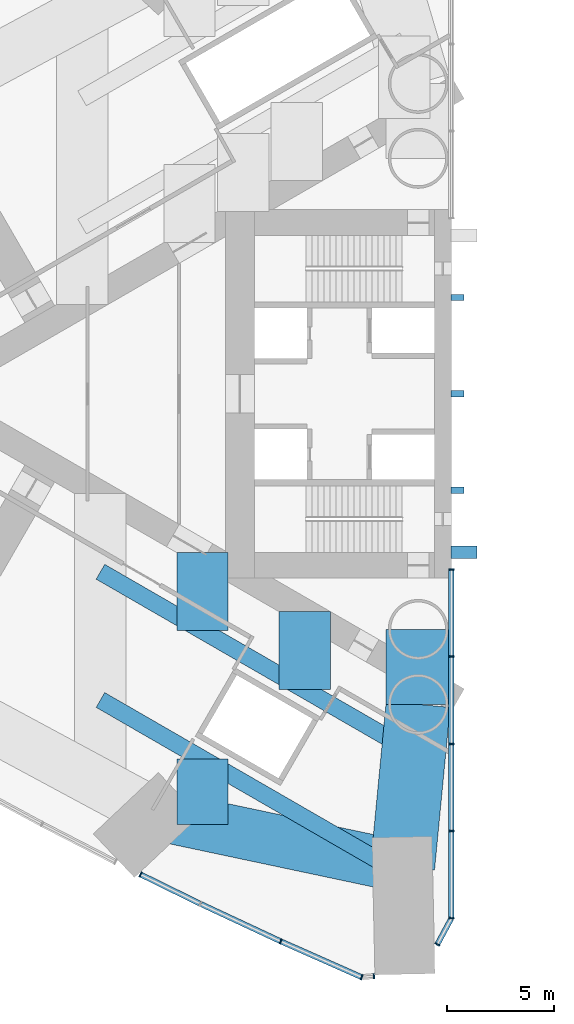
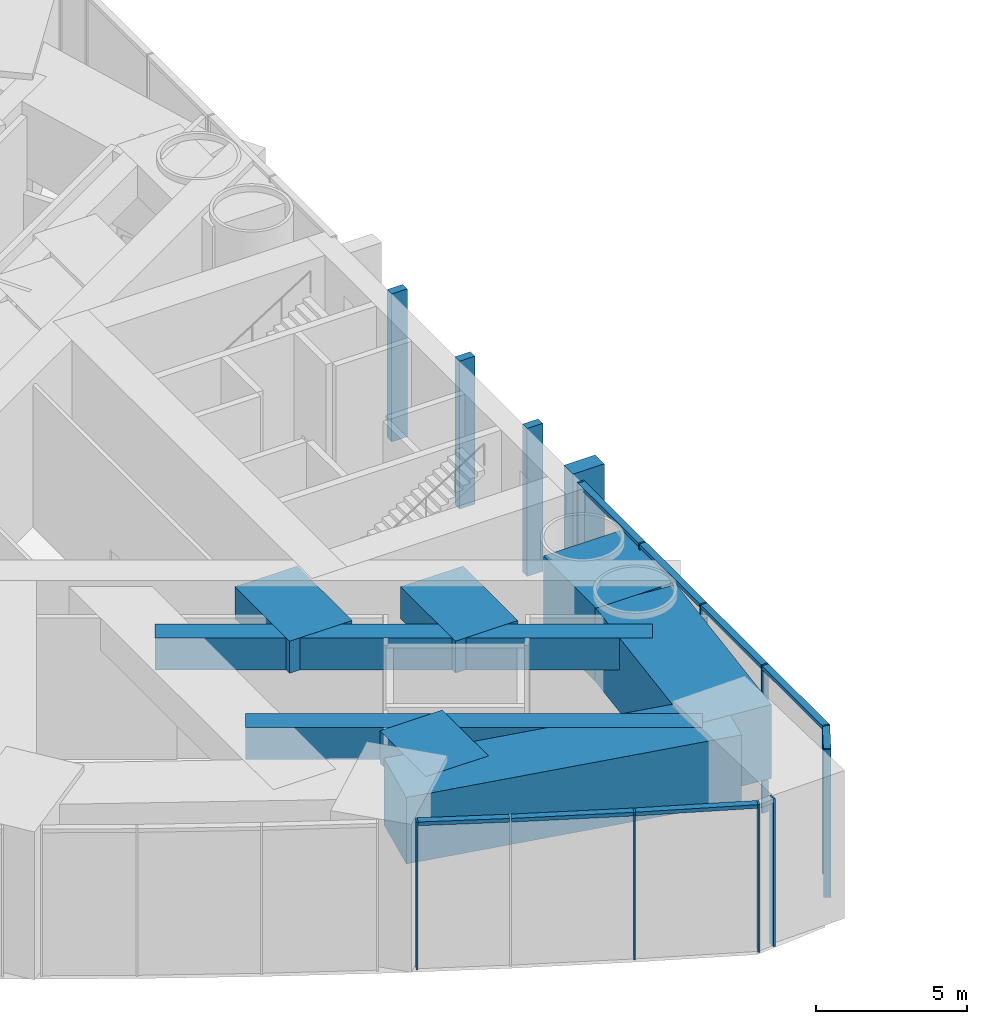
# One storey, part 4 of 18: 22 members, 8 beams, 2 elements without a shape of their own.
"""IFC4 building model written with IfcOpenShell, lengths in metres."""

from ifc_helpers import new_model, si_unit, direction, frame, origin, origin_2d, place, context, subcontext, project, spatial, rectangle, hollow_rectangle, extrude, material, material_profile, profile_set, type_object, element, aggregate, save


model = new_model("IFC4")

# Units and contexts
model_context = context("Model", 3, precision=1e-05, world=origin(), true_north=direction((0.0, 1.0)))
body_context = subcontext(model_context, "Body", "Model", "MODEL_VIEW")
ifc_project = project(units=[si_unit("LENGTHUNIT", "METRE"), si_unit("AREAUNIT", "SQUARE_METRE"), si_unit("VOLUMEUNIT", "CUBIC_METRE"), si_unit("PLANEANGLEUNIT", "RADIAN"), si_unit("MASSUNIT", "GRAM", prefix="KILO")], contexts=[model_context])

# Site, building, storey
site_placement = place(None, origin())
site = spatial("IfcSite", under=ifc_project, at=site_placement, CompositionType="ELEMENT")
building_placement = place(site_placement, origin())
building = spatial("IfcBuilding", under=site, at=building_placement, Name="Lancet Gate Hotel", CompositionType="ELEMENT")
storey_placement = place(building_placement, frame((0.0, 0.0, 81.0)))
storey = spatial("IfcBuildingStorey", under=building, at=storey_placement, Name="L21", CompositionType="ELEMENT", Elevation=81.0)

# Curtain wall, members
ifc_material_1 = material(Name="Aluminium curtain wall", Category="aluminium")
curtain_wall_type = type_object("IfcCurtainWallType", Name="Refuge storey louvred curtain wall", PredefinedType="USERDEFINED", material=ifc_material_1)
curtain_wall_1_placement = place(storey_placement, origin())
curtain_wall_1 = element("IfcCurtainWall", 1, at=curtain_wall_1_placement, inside=storey, type_object=curtain_wall_type, Name="T1 L21 curtain wall 9", ObjectType="LANTERN GLAZING", PredefinedType="USERDEFINED")
ifc_material_2 = material(Name="Aluminium mullion", Category="aluminium")
ifc_material_profile_1 = material_profile(ifc_material_2, rectangle(XDim=0.06494140625, YDim=0.25, at=origin_2d()), Name="MULLION 65x250")
ifc_profile_set_1 = profile_set([ifc_material_profile_1], Name="Aluminium mullion")
member_type_1 = type_object("IfcMemberType", Name="Aluminium mullion 65x250", PredefinedType="MULLION", material=ifc_profile_set_1)
member_1_placement = place(storey_placement, frame((-42.017822265625, -22.44580078125, 0.0), z_axis=(0.0, 0.0, 1.0), x_axis=(0.897653295642, -0.440702349463, 0.0)))
member_1 = element("IfcMember", 2, at=member_1_placement, type_object=member_type_1, Name="T1 L21 curtain wall 9 mullion 1", PredefinedType="MULLION", context=body_context, shape_type="SweptSolid", body=[
    extrude(rectangle(XDim=0.06494140625, YDim=0.25, at=origin_2d()), origin(), (0.0, 0.0, 1.0), 6.0),
])
member_2_placement = place(storey_placement, frame((-35.473876953125, -25.568115234375, 0.0), z_axis=(0.0, 0.0, 1.0), x_axis=(0.910219680212, -0.414125746308, 0.0)))
member_2 = element("IfcMember", 3, at=member_2_placement, type_object=member_type_1, Name="T1 L21 curtain wall 9 mullion 3", PredefinedType="MULLION", context=body_context, shape_type="SweptSolid", body=[
    extrude(rectangle(XDim=0.06494140625, YDim=0.25, at=origin_2d()), origin(), (0.0, 0.0, 1.0), 6.0),
])
member_3_placement = place(storey_placement, frame((-31.688720703125, -27.24560546875, 0.0), z_axis=(0.0, 0.0, 1.0), x_axis=(0.936669468789, -0.350214657374, 0.0)))
member_3 = element("IfcMember", 4, at=member_3_placement, type_object=member_type_1, Name="T1 L21 curtain wall 9 mullion 4", PredefinedType="MULLION", context=body_context, shape_type="SweptSolid", body=[
    extrude(rectangle(XDim=0.06494140625, YDim=0.25, at=origin_2d()), origin(), (0.0, 0.0, 1.0), 6.0),
])
member_4_placement = place(storey_placement, frame((-31.119873046875, -27.196044921875, 0.0), z_axis=(0.0, 0.0, 1.0), x_axis=(0.99620380374, 0.087051602022, 0.0)))
member_4 = element("IfcMember", 5, at=member_4_placement, type_object=member_type_1, Name="T1 L21 curtain wall 9 mullion 5", PredefinedType="MULLION", context=body_context, shape_type="SweptSolid", body=[
    extrude(rectangle(XDim=0.06494140625, YDim=0.25, at=origin_2d()), origin(), (0.0, 0.0, 1.0), 6.0),
])

curtain_wall_2_placement = place(storey_placement, origin())
curtain_wall_2 = element("IfcCurtainWall", 6, at=curtain_wall_2_placement, inside=storey, type_object=curtain_wall_type, Name="T1 L21 curtain wall 10", ObjectType="LANTERN GLAZING", PredefinedType="USERDEFINED")
member_5_placement = place(storey_placement, frame((-28.157958984375, -25.71142578125, 0.0), z_axis=(0.0, 0.0, 1.0), x_axis=(0.474631040972, 0.880184852714, 0.0)))
member_5 = element("IfcMember", 7, at=member_5_placement, type_object=member_type_1, Name="T1 L21 curtain wall 10 mullion 1", PredefinedType="MULLION", context=body_context, shape_type="SweptSolid", body=[
    extrude(rectangle(XDim=0.06494140625, YDim=0.25, at=origin_2d()), origin(), (0.0, 0.0, 1.0), 6.0),
])
member_6_placement = place(storey_placement, frame((-27.5, -24.4912109375, 0.0), z_axis=(0.0, 0.0, 1.0), x_axis=(0.123363681604, 0.992361527903, 0.0)))
member_6 = element("IfcMember", 8, at=member_6_placement, type_object=member_type_1, Name="T1 L21 curtain wall 10 mullion 2", PredefinedType="MULLION", context=body_context, shape_type="SweptSolid", body=[
    extrude(rectangle(XDim=0.06494140625, YDim=0.25, at=origin_2d()), origin(), (0.0, 0.0, 1.0), 6.0),
])
member_7_placement = place(storey_placement, frame((-27.5, -20.41845703125, 0.0), z_axis=(0.0, 0.0, 1.0), x_axis=(0.0, 1.0, 0.0)))
member_7 = element("IfcMember", 9, at=member_7_placement, type_object=member_type_1, Name="T1 L21 curtain wall 10 mullion 3", PredefinedType="MULLION", context=body_context, shape_type="SweptSolid", body=[
    extrude(rectangle(XDim=0.06494140625, YDim=0.25, at=origin_2d()), origin(), (0.0, 0.0, 1.0), 6.0),
])
member_8_placement = place(storey_placement, frame((-27.5, -16.345703125, 0.0), z_axis=(0.0, 0.0, 1.0), x_axis=(0.0, 1.0, 0.0)))
member_8 = element("IfcMember", 10, at=member_8_placement, type_object=member_type_1, Name="T1 L21 curtain wall 10 mullion 4", PredefinedType="MULLION", context=body_context, shape_type="SweptSolid", body=[
    extrude(rectangle(XDim=0.06494140625, YDim=0.25, at=origin_2d()), origin(), (0.0, 0.0, 1.0), 6.0),
])
member_9_placement = place(storey_placement, frame((-27.5, -12.272705078125, 0.0), z_axis=(0.0, 0.0, 1.0), x_axis=(0.0, 1.0, 0.0)))
member_9 = element("IfcMember", 11, at=member_9_placement, type_object=member_type_1, Name="T1 L21 curtain wall 10 mullion 5", PredefinedType="MULLION", context=body_context, shape_type="SweptSolid", body=[
    extrude(rectangle(XDim=0.06494140625, YDim=0.25, at=origin_2d()), origin(), (0.0, 0.0, 1.0), 6.0),
])
member_10_placement = place(storey_placement, frame((-27.5, -8.199951171875, 0.0), z_axis=(0.0, 0.0, 1.0), x_axis=(0.0, 1.0, 0.0)))
member_10 = element("IfcMember", 12, at=member_10_placement, type_object=member_type_1, Name="T1 L21 curtain wall 10 mullion 6", PredefinedType="MULLION", context=body_context, shape_type="SweptSolid", body=[
    extrude(rectangle(XDim=0.06494140625, YDim=0.25, at=origin_2d()), origin(), (0.0, 0.0, 1.0), 6.0),
])

# Member
ifc_material_3 = material(Name="Aluminium transom", Category="aluminium")
ifc_material_profile_2 = material_profile(ifc_material_3, rectangle(XDim=0.25, YDim=0.14990234375, at=origin_2d()), Name="TRANSOM 250x150")
ifc_profile_set_2 = profile_set([ifc_material_profile_2], Name="Aluminium transom")
member_type_2 = type_object("IfcMemberType", Name="Aluminium transom 250x150", PredefinedType="USERDEFINED", material=ifc_profile_set_2)
member_11_placement = place(storey_placement, frame((-41.988525390625, -22.4599609375, 5.925048828125), z_axis=(0.897642241147, -0.440724865317, 0.0), x_axis=(0.440724865317, 0.897642241147, 0.0)))
member_11 = element("IfcMember", 13, at=member_11_placement, type_object=member_type_2, Name="T1 L21 curtain wall 9 transom 1", ObjectType="TRANSOM", PredefinedType="USERDEFINED", context=body_context, shape_type="SweptSolid", body=[
    extrude(rectangle(XDim=0.25, YDim=0.14990234375, at=origin_2d()), origin(), (0.0, 0.0, 1.0), 3.045654296875),
])

member_12_placement = place(storey_placement, frame((-39.196044921875, -23.830322265625, 5.925048828125), z_axis=(0.906109667261, -0.423042871228, 0.0), x_axis=(0.423042871228, 0.906109667261, 0.0)))
member_12 = element("IfcMember", 14, at=member_12_placement, type_object=member_type_2, Name="T1 L21 curtain wall 9 transom 2", ObjectType="TRANSOM", PredefinedType="USERDEFINED", context=body_context, shape_type="SweptSolid", body=[
    extrude(rectangle(XDim=0.25, YDim=0.14990234375, at=origin_2d()), origin(), (0.0, 0.0, 1.0), 4.075439453125),
])

member_13_placement = place(storey_placement, frame((-35.444091796875, -25.581298828125, 5.925048828125), z_axis=(0.914248281954, -0.405154389022, 0.0), x_axis=(0.405154389022, 0.914248281954, 0.0)))
member_13 = element("IfcMember", 15, at=member_13_placement, type_object=member_type_2, Name="T1 L21 curtain wall 9 transom 3", ObjectType="TRANSOM", PredefinedType="USERDEFINED", context=body_context, shape_type="SweptSolid", body=[
    extrude(rectangle(XDim=0.25, YDim=0.14990234375, at=origin_2d()), origin(), (0.0, 0.0, 1.0), 4.0751953125),
])

aggregate(curtain_wall_1, [member_1, member_2, member_3, member_4, member_11, member_12, member_13])

member_14_placement = place(storey_placement, frame((-28.142578125, -25.682861328125, 5.925048828125), z_axis=(0.474639595966, 0.880180239463, 0.0), x_axis=(-0.880180239463, 0.474639595966, 0.0)))
member_14 = element("IfcMember", 16, at=member_14_placement, type_object=member_type_2, Name="T1 L21 curtain wall 10 transom 1", ObjectType="TRANSOM", PredefinedType="USERDEFINED", context=body_context, shape_type="SweptSolid", body=[
    extrude(rectangle(XDim=0.25, YDim=0.14990234375, at=origin_2d()), origin(), (0.0, 0.0, 1.0), 1.321533203125),
])

member_15_placement = place(storey_placement, frame((-27.5, -24.458740234375, 5.925048828125), z_axis=(0.0, 1.0, 0.0), x_axis=(-1.0, 0.0, 0.0)))
member_15 = element("IfcMember", 17, at=member_15_placement, type_object=member_type_2, Name="T1 L21 curtain wall 10 transom 2", ObjectType="TRANSOM", PredefinedType="USERDEFINED", context=body_context, shape_type="SweptSolid", body=[
    extrude(rectangle(XDim=0.25, YDim=0.14990234375, at=origin_2d()), origin(), (0.0, 0.0, 1.0), 4.0078125),
])

member_16_placement = place(storey_placement, frame((-27.5, -20.385986328125, 5.925048828125), z_axis=(0.0, 1.0, 0.0), x_axis=(-1.0, 0.0, 0.0)))
member_16 = element("IfcMember", 18, at=member_16_placement, type_object=member_type_2, Name="T1 L21 curtain wall 10 transom 3", ObjectType="TRANSOM", PredefinedType="USERDEFINED", context=body_context, shape_type="SweptSolid", body=[
    extrude(rectangle(XDim=0.25, YDim=0.14990234375, at=origin_2d()), origin(), (0.0, 0.0, 1.0), 4.0078125),
])

member_17_placement = place(storey_placement, frame((-27.5, -16.31298828125, 5.925048828125), z_axis=(0.0, 1.0, 0.0), x_axis=(-1.0, 0.0, 0.0)))
member_17 = element("IfcMember", 19, at=member_17_placement, type_object=member_type_2, Name="T1 L21 curtain wall 10 transom 4", ObjectType="TRANSOM", PredefinedType="USERDEFINED", context=body_context, shape_type="SweptSolid", body=[
    extrude(rectangle(XDim=0.25, YDim=0.14990234375, at=origin_2d()), origin(), (0.0, 0.0, 1.0), 4.0078125),
])

member_18_placement = place(storey_placement, frame((-27.5, -12.240234375, 5.925048828125), z_axis=(0.0, 1.0, 0.0), x_axis=(-1.0, 0.0, 0.0)))
member_18 = element("IfcMember", 20, at=member_18_placement, type_object=member_type_2, Name="T1 L21 curtain wall 10 transom 5", ObjectType="TRANSOM", PredefinedType="USERDEFINED", context=body_context, shape_type="SweptSolid", body=[
    extrude(rectangle(XDim=0.25, YDim=0.14990234375, at=origin_2d()), origin(), (0.0, 0.0, 1.0), 4.0078125),
])

aggregate(curtain_wall_2, [member_5, member_6, member_7, member_8, member_9, member_10, member_14, member_15, member_16, member_17, member_18])

# Members
ifc_material_4 = material(Name="Concrete C60/75", Category="concrete")
ifc_material_profile_3 = material_profile(ifc_material_4, rectangle(XDim=0.60009765625, YDim=1.199951171875, at=origin_2d()), Name="FIN 600x1200")
ifc_profile_set_3 = profile_set([ifc_material_profile_3], Name="Concrete C60/75")
member_type_3 = type_object("IfcMemberType", Name="Exposed concrete buttress pilaster 600x1200", PredefinedType="USERDEFINED", material=ifc_profile_set_3)
member_19_placement = place(storey_placement, frame((-26.909912109375, -7.39990234375, 0.0), z_axis=(0.0, 0.0, 1.0), x_axis=(0.0, 1.0, 0.0)))
element("IfcMember", 21, at=member_19_placement, inside=storey, type_object=member_type_3, Name="T1 buttress pilaster N L21", ObjectType="FIN", PredefinedType="USERDEFINED", context=body_context, shape_type="SweptSolid", body=[
    extrude(rectangle(XDim=0.60009765625, YDim=1.199951171875, at=origin_2d()), origin(), (0.0, 0.0, 1.0), 6.0),
])
ifc_material_5 = material(Name="Concrete C60/75", Category="concrete")
ifc_material_profile_4 = material_profile(ifc_material_5, rectangle(XDim=0.300048828125, YDim=0.60009765625, at=origin_2d()), Name="FIN 300x600")
ifc_profile_set_4 = profile_set([ifc_material_profile_4], Name="Concrete C60/75")
member_type_4 = type_object("IfcMemberType", Name="Exposed concrete rib 300x600", PredefinedType="USERDEFINED", material=ifc_profile_set_4)
for number, where, z_axis, x_axis, name in (
    (22, (-27.2099609375, 4.5, 0.0), (0.0, 0.0, 1.0), (0.0, 1.0, 0.0), "T1 core rib 1 L21"),
    (23, (-27.2099609375, 0.0, 0.0), (0.0, 0.0, 1.0), (0.0, 1.0, 0.0), "T1 core rib 2 L21"),
    (24, (-27.2099609375, -4.5, 0.0), (0.0, 0.0, 1.0), (0.0, 1.0, 0.0), "T1 core rib 3 L21"),
):
    element("IfcMember", number, at=place(storey_placement, frame(where, z_axis=z_axis, x_axis=x_axis)), inside=storey, type_object=member_type_4, Name=name, ObjectType="FIN", PredefinedType="USERDEFINED", context=body_context, shape_type="SweptSolid", body=[
        extrude(rectangle(XDim=0.300048828125, YDim=0.60009765625, at=origin_2d()), origin(), (0.0, 0.0, 1.0), 6.0),
    ])

# Beams
ifc_material_6 = material(Name="Concrete C50/60", Category="concrete")
ifc_material_profile_5 = material_profile(ifc_material_6, rectangle(XDim=2.39990234375, YDim=1.300048828125, at=origin_2d()), Name="RC 2400x1300")
ifc_profile_set_5 = profile_set([ifc_material_profile_5], Name="Concrete C50/60")
beam_type_1 = type_object("IfcBeamType", Name="Floor beam RC 2400x1300", PredefinedType="BEAM", material=ifc_profile_set_5)
beam_1_placement = place(storey_placement, frame((-34.353515625, -10.169921875, 5.10009765625), z_axis=(0.0, -1.0, 0.0), x_axis=(1.0, 0.0, 0.0)))
element("IfcBeam", 25, at=beam_1_placement, inside=storey, type_object=beam_type_1, Name="T1 floor beam F03NA L21", PredefinedType="BEAM", context=body_context, shape_type="SweptSolid", body=[
    extrude(rectangle(XDim=2.39990234375, YDim=1.300048828125, at=origin_2d()), origin(), (0.0, 0.0, 1.0), 3.645751953125),
])
beam_2_placement = place(storey_placement, frame((-39.122314453125, -7.41650390625, 5.10009765625), z_axis=(0.0, -1.0, 0.0), x_axis=(1.0, 0.0, 0.0)))
element("IfcBeam", 26, at=beam_2_placement, inside=storey, type_object=beam_type_1, Name="T1 floor beam F06NA L21", PredefinedType="BEAM", context=body_context, shape_type="SweptSolid", body=[
    extrude(rectangle(XDim=2.39990234375, YDim=1.300048828125, at=origin_2d()), origin(), (0.0, 0.0, 1.0), 3.64599609375),
])
beam_3_placement = place(storey_placement, frame((-39.122314453125, -17.0498046875, 5.10009765625), z_axis=(0.0, -1.0, 0.0), x_axis=(1.0, 0.0, 0.0)))
element("IfcBeam", 27, at=beam_3_placement, inside=storey, type_object=beam_type_1, Name="T1 floor beam F06NB L21", PredefinedType="BEAM", context=body_context, shape_type="SweptSolid", body=[
    extrude(rectangle(XDim=2.39990234375, YDim=1.300048828125, at=origin_2d()), origin(), (0.0, 0.0, 1.0), 3.065673828125),
])
ifc_material_7 = material(Name="Concrete C50/60", Category="concrete")
ifc_material_profile_6 = material_profile(ifc_material_7, rectangle(XDim=2.39990234375, YDim=2.699951171875, at=origin_2d()), Name="RC 2400x2700")
ifc_profile_set_6 = profile_set([ifc_material_profile_6], Name="Concrete C50/60")
beam_type_2 = type_object("IfcBeamType", Name="Tie ring beam RC 2400x2700", PredefinedType="SPANDREL", material=ifc_profile_set_6)
beam_4_placement = place(storey_placement, frame((-41.244873046875, -19.665771484375, 4.39990234375), z_axis=(0.978282156247, -0.207277646573, 0.0), x_axis=(0.207277646573, 0.978282156247, 0.0)))
element("IfcBeam", 28, at=beam_4_placement, inside=storey, type_object=beam_type_2, Name="T1 tie ring beam RG3 L21", PredefinedType="SPANDREL", context=body_context, shape_type="SweptSolid", body=[
    extrude(rectangle(XDim=2.39990234375, YDim=2.699951171875, at=origin_2d()), origin(), (0.0, 0.0, 1.0), 11.71826171875),
])
ifc_material_8 = material(Name="Concrete C50/60", Category="concrete")
ifc_material_profile_7 = material_profile(ifc_material_8, rectangle(XDim=3.0, YDim=3.0, at=origin_2d()), Name="RC 3000x3000")
ifc_profile_set_7 = profile_set([ifc_material_profile_7], Name="Concrete C50/60")
beam_type_3 = type_object("IfcBeamType", Name="Tie ring beam RC 3000x3000", PredefinedType="SPANDREL", material=ifc_profile_set_7)
beam_5_placement = place(storey_placement, frame((-29.050048828125, -11.0, 4.25), z_axis=(0.0, -1.0, 0.0), x_axis=(1.0, 0.0, 0.0)))
element("IfcBeam", 29, at=beam_5_placement, inside=storey, type_object=beam_type_3, Name="T1 tie ring beam RG4 L21", PredefinedType="SPANDREL", context=body_context, shape_type="SweptSolid", body=[
    extrude(rectangle(XDim=3.0, YDim=3.0, at=origin_2d()), origin(), (0.0, 0.0, 1.0), 3.5),
])
beam_6_placement = place(storey_placement, frame((-29.050048828125, -14.5, 4.25), z_axis=(-0.095802643786, -0.995400348324, 0.0), x_axis=(0.995400348324, -0.095802643786, 0.0)))
element("IfcBeam", 30, at=beam_6_placement, inside=storey, type_object=beam_type_3, Name="T1 tie ring beam RG4 L21", PredefinedType="SPANDREL", context=body_context, shape_type="SweptSolid", body=[
    extrude(rectangle(XDim=3.0, YDim=3.0, at=origin_2d()), origin(), (0.0, 0.0, 1.0), 7.6298828125),
])
ifc_material_9 = material(Name="Steel S460QL", Category="steel")
ifc_material_profile_8 = material_profile(ifc_material_9, hollow_rectangle(XDim=0.800048828125, YDim=1.300048828125, WallThickness=0.080078125, at=origin_2d()), Name="BOX 1300x800x80")
ifc_profile_set_8 = profile_set([ifc_material_profile_8], Name="Steel S460QL")
beam_type_4 = type_object("IfcBeamType", Name="Trimmer beam BOX 1300x800x80", PredefinedType="BEAM", material=ifc_profile_set_8)
beam_7_placement = place(storey_placement, frame((-29.58447265625, -16.56884765625, 5.10009765625), z_axis=(-0.866040141834, 0.49997447208, 0.0), x_axis=(-0.49997447208, -0.866040141834, 0.0)))
element("IfcBeam", 31, at=beam_7_placement, inside=storey, type_object=beam_type_4, Name="T1 trimmer beam TR01N L21", PredefinedType="BEAM", context=body_context, shape_type="SweptSolid", body=[
    extrude(hollow_rectangle(XDim=0.800048828125, YDim=1.300048828125, WallThickness=0.080078125, at=origin_2d()), origin(), (0.0, 0.0, 1.0), 16.519775390625),
])
beam_8_placement = place(storey_placement, frame((-30.732666015625, -21.89306640625, 5.10009765625), z_axis=(-0.866046448898, 0.499963547023, 0.0), x_axis=(-0.499963547023, -0.866046448898, 0.0)))
element("IfcBeam", 32, at=beam_8_placement, inside=storey, type_object=beam_type_4, Name="T1 trimmer beam TR03N L21", PredefinedType="BEAM", context=body_context, shape_type="SweptSolid", body=[
    extrude(hollow_rectangle(XDim=0.800048828125, YDim=1.300048828125, WallThickness=0.080078125, at=origin_2d()), origin(), (0.0, 0.0, 1.0), 15.194091796875),
])

save(model, "model.ifc")
